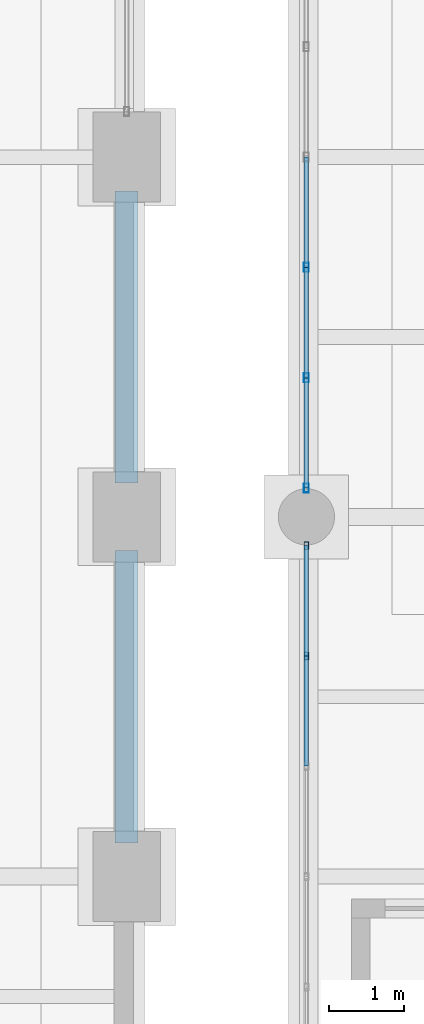
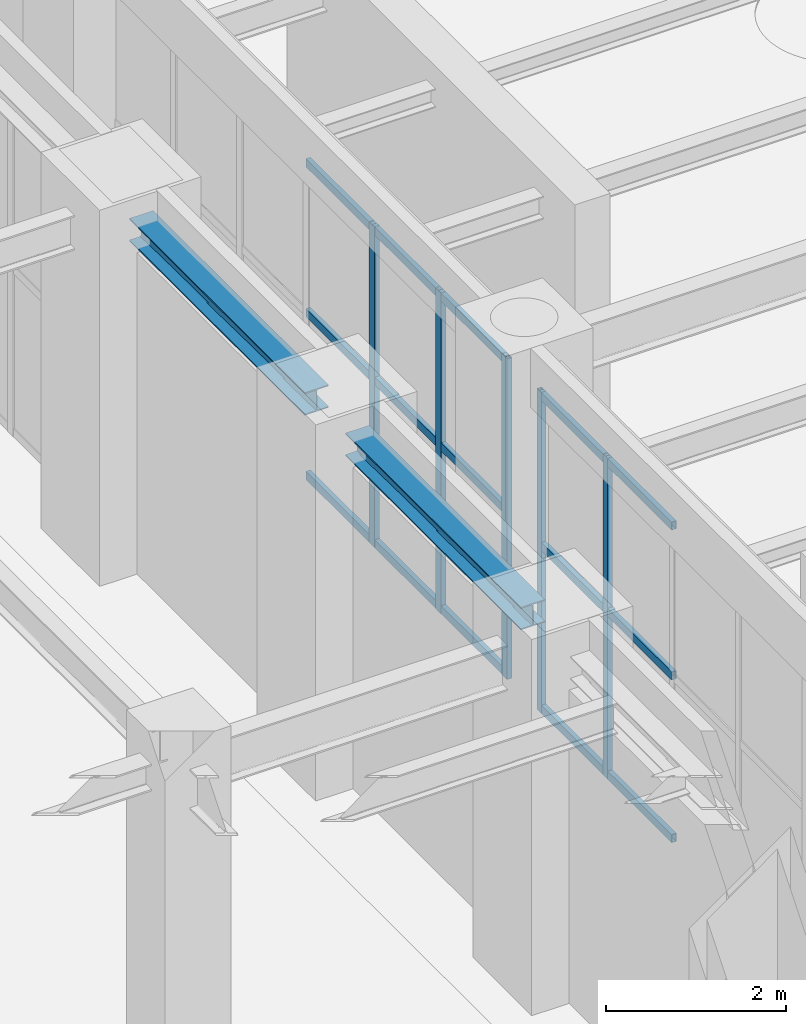
# One storey, part 36 of 174: 20 members, 2 beams, 2 elements without a shape of their own.
"""IFC4 building model written with IfcOpenShell, lengths in metres."""

from ifc_helpers import new_model, si_unit, direction, frame, origin, origin_2d, place, context, subcontext, project, spatial, hollow_rectangle, i_section, extrude, material, material_profile, profile_set, type_object, element, aggregate, save


model = new_model("IFC4")

# Units and contexts
model_context = context("Model", 3, precision=1e-05, world=origin(), true_north=direction((0.0, 1.0)))
body_context = subcontext(model_context, "Body", "Model", "MODEL_VIEW")
ifc_project = project(units=[si_unit("LENGTHUNIT", "METRE"), si_unit("AREAUNIT", "SQUARE_METRE"), si_unit("VOLUMEUNIT", "CUBIC_METRE"), si_unit("PLANEANGLEUNIT", "RADIAN"), si_unit("MASSUNIT", "GRAM", prefix="KILO")], contexts=[model_context])

# Site, building, storey
site_placement = place(None, origin())
site = spatial("IfcSite", under=ifc_project, at=site_placement, CompositionType="ELEMENT")
building_placement = place(site_placement, origin())
building = spatial("IfcBuilding", under=site, at=building_placement, Name="Mavantir Sound Aquarium", CompositionType="ELEMENT")
storey_placement = place(building_placement, frame((0.0, 0.0, 5.39990234375)))
storey = spatial("IfcBuildingStorey", under=building, at=storey_placement, Name="L01", CompositionType="ELEMENT", Elevation=5.39990234375)

# Beams
ifc_material_1 = material(Name="Structural Steel ASTM A992 Gr50", Category="steel")
ifc_material_profile_1 = material_profile(ifc_material_1, i_section(OverallWidth=0.304931640625, OverallDepth=0.30810546875, WebThickness=0.010009765625, FlangeThickness=0.015380859375, FilletRadius=0.014892578125, at=origin_2d()), Name="W310X97")
ifc_profile_set_1 = profile_set([ifc_material_profile_1], Name="Structural Steel ASTM A992 Gr50")
beam_type = type_object("IfcBeamType", Name="BM-W310X97-E", PredefinedType="SPANDREL", material=ifc_profile_set_1)
for number, where, z_axis, x_axis, name in (
    (1, (33.60009765625, 46.050048828125, 4.5419921875), (0.0, 1.0, 0.0), (-1.0, 0.0, 0.0), "L01 primary girder SS-31A 1175"),
    (2, (33.60009765625, 50.85009765625, 4.5419921875), (0.0, 1.0, 0.0), (-1.0, 0.0, 0.0), "L01 primary girder SS-31A 1176"),
):
    element("IfcBeam", number, at=place(storey_placement, frame(where, z_axis=z_axis, x_axis=x_axis)), inside=storey, type_object=beam_type, Name=name, PredefinedType="SPANDREL", context=body_context, shape_type="SweptSolid", body=[
        extrude(i_section(OverallWidth=0.304931640625, OverallDepth=0.30810546875, WebThickness=0.010009765625, FlangeThickness=0.015380859375, FilletRadius=0.014892578125, at=origin_2d()), origin(), (0.0, 0.0, 1.0), 3.89990234375),
    ])

# Curtain wall, members
ifc_material_2 = material(Name="Anodised Marine Aluminium and Low-E Glass", Category="aluminium")
curtain_wall_type_1 = type_object("IfcCurtainWallType", Name="CW-T15", PredefinedType="USERDEFINED", material=ifc_material_2)
curtain_wall_1_placement = place(storey_placement, origin())
curtain_wall_1 = element("IfcCurtainWall", 3, at=curtain_wall_1_placement, inside=storey, type_object=curtain_wall_type_1, Name="L01 unitised curtain wall CW-15 63", ObjectType="UNITISED GLAZING", PredefinedType="USERDEFINED")
ifc_material_3 = material(Name="Anodised Marine Aluminium 6063-T6", Category="aluminium")
ifc_material_profile_2 = material_profile(ifc_material_3, hollow_rectangle(XDim=0.06005859375, YDim=0.10009765625, WallThickness=0.00390625, at=origin_2d()), Name="ALU-MULLION-100X60")
ifc_profile_set_2 = profile_set([ifc_material_profile_2], Name="Anodised Marine Aluminium 6063-T6")
member_type_1 = type_object("IfcMemberType", Name="CW-MUL-100", PredefinedType="MULLION", material=ifc_profile_set_2)
member_1_placement = place(storey_placement, frame((36.0, 50.01708984375, 0.0), z_axis=(0.0, 0.0, 1.0), x_axis=(1.0, 0.0, 0.0)))
member_1 = element("IfcMember", 4, at=member_1_placement, type_object=member_type_1, Name="CW-L01-063 vertical mullion 1", PredefinedType="MULLION", context=body_context, shape_type="SweptSolid", body=[
    extrude(hollow_rectangle(XDim=0.06005859375, YDim=0.10009765625, WallThickness=0.00390625, at=origin_2d()), origin(), (0.0, 0.0, 1.0), 4.34912109375),
])
member_2_placement = place(storey_placement, frame((36.0, 48.544677734375, 0.0), z_axis=(0.0, 0.0, 1.0), x_axis=(1.0, 0.0, 0.0)))
member_2 = element("IfcMember", 5, at=member_2_placement, type_object=member_type_1, Name="CW-L01-063 vertical mullion 2", PredefinedType="MULLION", context=body_context, shape_type="SweptSolid", body=[
    extrude(hollow_rectangle(XDim=0.06005859375, YDim=0.10009765625, WallThickness=0.00390625, at=origin_2d()), origin(), (0.0, 0.0, 1.0), 4.34912109375),
])

curtain_wall_type_2 = type_object("IfcCurtainWallType", Name="CW-T14", PredefinedType="USERDEFINED", material=ifc_material_2)
curtain_wall_2_placement = place(storey_placement, origin())
curtain_wall_2 = element("IfcCurtainWall", 6, at=curtain_wall_2_placement, inside=storey, type_object=curtain_wall_type_2, Name="L01 unitised curtain wall CW-14 62", ObjectType="UNITISED GLAZING", PredefinedType="USERDEFINED")
ifc_material_profile_3 = material_profile(ifc_material_3, hollow_rectangle(XDim=0.06494140625, YDim=0.1201171875, WallThickness=0.00390625, at=origin_2d()), Name="ALU-MULLION-120X65")
ifc_profile_set_3 = profile_set([ifc_material_profile_3], Name="Anodised Marine Aluminium 6063-T6")
member_type_2 = type_object("IfcMemberType", Name="CW-MUL-120", PredefinedType="MULLION", material=ifc_profile_set_3)
member_3_placement = place(storey_placement, frame((36.0, 53.727783203125, 0.0), z_axis=(0.0, 0.0, 1.0), x_axis=(1.0, 0.0, 0.0)))
member_3 = element("IfcMember", 7, at=member_3_placement, type_object=member_type_2, Name="CW-L01-062 vertical mullion 5", PredefinedType="MULLION", context=body_context, shape_type="SweptSolid", body=[
    extrude(hollow_rectangle(XDim=0.06494140625, YDim=0.1201171875, WallThickness=0.00390625, at=origin_2d()), origin(), (0.0, 0.0, 1.0), 4.34912109375),
])
member_4_placement = place(storey_placement, frame((36.0, 52.25537109375, 0.0), z_axis=(0.0, 0.0, 1.0), x_axis=(1.0, 0.0, 0.0)))
member_4 = element("IfcMember", 8, at=member_4_placement, type_object=member_type_2, Name="CW-L01-062 vertical mullion 6", PredefinedType="MULLION", context=body_context, shape_type="SweptSolid", body=[
    extrude(hollow_rectangle(XDim=0.06494140625, YDim=0.1201171875, WallThickness=0.00390625, at=origin_2d()), origin(), (0.0, 0.0, 1.0), 4.34912109375),
])
member_5_placement = place(storey_placement, frame((36.0, 50.782958984375, 0.0), z_axis=(0.0, 0.0, 1.0), x_axis=(1.0, 0.0, 0.0)))
member_5 = element("IfcMember", 9, at=member_5_placement, type_object=member_type_2, Name="CW-L01-062 vertical mullion 7", PredefinedType="MULLION", context=body_context, shape_type="SweptSolid", body=[
    extrude(hollow_rectangle(XDim=0.06494140625, YDim=0.1201171875, WallThickness=0.00390625, at=origin_2d()), origin(), (0.0, 0.0, 1.0), 4.34912109375),
])
ifc_material_profile_4 = material_profile(ifc_material_3, hollow_rectangle(XDim=0.06005859375, YDim=0.110107421875, WallThickness=0.00390625, at=origin_2d()), Name="ALU-TRANSOM-110X60")
ifc_profile_set_4 = profile_set([ifc_material_profile_4], Name="Anodised Marine Aluminium 6063-T6")
member_type_3 = type_object("IfcMemberType", Name="CW-TRN-110", PredefinedType="USERDEFINED", material=ifc_profile_set_4)
member_6_placement = place(storey_placement, frame((36.0, 55.199951171875, 0.05517578125), z_axis=(0.0, -1.0, 0.0), x_axis=(1.0, 0.0, 0.0)))
member_6 = element("IfcMember", 10, at=member_6_placement, type_object=member_type_3, Name="CW-L01-062 transom 4.1", ObjectType="TRANSOM", PredefinedType="USERDEFINED", context=body_context, shape_type="SweptSolid", body=[
    extrude(hollow_rectangle(XDim=0.06005859375, YDim=0.110107421875, WallThickness=0.00390625, at=origin_2d()), origin(), (0.0, 0.0, 1.0), 1.47216796875),
])
member_7_placement = place(storey_placement, frame((36.0, 55.199951171875, 2.26171875), z_axis=(0.0, -1.0, 0.0), x_axis=(1.0, 0.0, 0.0)))
member_7 = element("IfcMember", 11, at=member_7_placement, type_object=member_type_3, Name="CW-L01-062 transom 4.2", ObjectType="TRANSOM", PredefinedType="USERDEFINED", context=body_context, shape_type="SweptSolid", body=[
    extrude(hollow_rectangle(XDim=0.06005859375, YDim=0.110107421875, WallThickness=0.00390625, at=origin_2d()), origin(), (0.0, 0.0, 1.0), 1.47216796875),
])
member_8_placement = place(storey_placement, frame((36.0, 55.199951171875, 4.294189453125), z_axis=(0.0, -1.0, 0.0), x_axis=(1.0, 0.0, 0.0)))
member_8 = element("IfcMember", 12, at=member_8_placement, type_object=member_type_3, Name="CW-L01-062 transom 4.3", ObjectType="TRANSOM", PredefinedType="USERDEFINED", context=body_context, shape_type="SweptSolid", body=[
    extrude(hollow_rectangle(XDim=0.06005859375, YDim=0.110107421875, WallThickness=0.00390625, at=origin_2d()), origin(), (0.0, 0.0, 1.0), 1.47216796875),
])
member_9_placement = place(storey_placement, frame((36.0, 53.727783203125, 0.05517578125), z_axis=(0.0, -1.0, 0.0), x_axis=(1.0, 0.0, 0.0)))
member_9 = element("IfcMember", 13, at=member_9_placement, type_object=member_type_3, Name="CW-L01-062 transom 5.1", ObjectType="TRANSOM", PredefinedType="USERDEFINED", context=body_context, shape_type="SweptSolid", body=[
    extrude(hollow_rectangle(XDim=0.06005859375, YDim=0.110107421875, WallThickness=0.00390625, at=origin_2d()), origin(), (0.0, 0.0, 1.0), 1.472412109375),
])
member_10_placement = place(storey_placement, frame((36.0, 53.727783203125, 2.26171875), z_axis=(0.0, -1.0, 0.0), x_axis=(1.0, 0.0, 0.0)))
member_10 = element("IfcMember", 14, at=member_10_placement, type_object=member_type_3, Name="CW-L01-062 transom 5.2", ObjectType="TRANSOM", PredefinedType="USERDEFINED", context=body_context, shape_type="SweptSolid", body=[
    extrude(hollow_rectangle(XDim=0.06005859375, YDim=0.110107421875, WallThickness=0.00390625, at=origin_2d()), origin(), (0.0, 0.0, 1.0), 1.472412109375),
])
member_11_placement = place(storey_placement, frame((36.0, 53.727783203125, 4.294189453125), z_axis=(0.0, -1.0, 0.0), x_axis=(1.0, 0.0, 0.0)))
member_11 = element("IfcMember", 15, at=member_11_placement, type_object=member_type_3, Name="CW-L01-062 transom 5.3", ObjectType="TRANSOM", PredefinedType="USERDEFINED", context=body_context, shape_type="SweptSolid", body=[
    extrude(hollow_rectangle(XDim=0.06005859375, YDim=0.110107421875, WallThickness=0.00390625, at=origin_2d()), origin(), (0.0, 0.0, 1.0), 1.472412109375),
])
member_12_placement = place(storey_placement, frame((36.0, 52.25537109375, 0.05517578125), z_axis=(0.0, -1.0, 0.0), x_axis=(1.0, 0.0, 0.0)))
member_12 = element("IfcMember", 16, at=member_12_placement, type_object=member_type_3, Name="CW-L01-062 transom 6.1", ObjectType="TRANSOM", PredefinedType="USERDEFINED", context=body_context, shape_type="SweptSolid", body=[
    extrude(hollow_rectangle(XDim=0.06005859375, YDim=0.110107421875, WallThickness=0.00390625, at=origin_2d()), origin(), (0.0, 0.0, 1.0), 1.472412109375),
])
member_13_placement = place(storey_placement, frame((36.0, 52.25537109375, 2.26171875), z_axis=(0.0, -1.0, 0.0), x_axis=(1.0, 0.0, 0.0)))
member_13 = element("IfcMember", 17, at=member_13_placement, type_object=member_type_3, Name="CW-L01-062 transom 6.2", ObjectType="TRANSOM", PredefinedType="USERDEFINED", context=body_context, shape_type="SweptSolid", body=[
    extrude(hollow_rectangle(XDim=0.06005859375, YDim=0.110107421875, WallThickness=0.00390625, at=origin_2d()), origin(), (0.0, 0.0, 1.0), 1.472412109375),
])
member_14_placement = place(storey_placement, frame((36.0, 52.25537109375, 4.294189453125), z_axis=(0.0, -1.0, 0.0), x_axis=(1.0, 0.0, 0.0)))
member_14 = element("IfcMember", 18, at=member_14_placement, type_object=member_type_3, Name="CW-L01-062 transom 6.3", ObjectType="TRANSOM", PredefinedType="USERDEFINED", context=body_context, shape_type="SweptSolid", body=[
    extrude(hollow_rectangle(XDim=0.06005859375, YDim=0.110107421875, WallThickness=0.00390625, at=origin_2d()), origin(), (0.0, 0.0, 1.0), 1.472412109375),
])
aggregate(curtain_wall_2, [member_3, member_4, member_5, member_6, member_7, member_8, member_9, member_10, member_11, member_12, member_13, member_14])

# Member
member_15_placement = place(storey_placement, frame((36.0, 50.01708984375, 0.05517578125), z_axis=(0.0, -1.0, 0.0), x_axis=(1.0, 0.0, 0.0)))
member_15 = element("IfcMember", 19, at=member_15_placement, type_object=member_type_3, Name="CW-L01-063 transom 1.1", ObjectType="TRANSOM", PredefinedType="USERDEFINED", context=body_context, shape_type="SweptSolid", body=[
    extrude(hollow_rectangle(XDim=0.06005859375, YDim=0.110107421875, WallThickness=0.00390625, at=origin_2d()), origin(), (0.0, 0.0, 1.0), 1.472412109375),
])

member_16_placement = place(storey_placement, frame((36.0, 50.01708984375, 2.26171875), z_axis=(0.0, -1.0, 0.0), x_axis=(1.0, 0.0, 0.0)))
member_16 = element("IfcMember", 20, at=member_16_placement, type_object=member_type_3, Name="CW-L01-063 transom 1.2", ObjectType="TRANSOM", PredefinedType="USERDEFINED", context=body_context, shape_type="SweptSolid", body=[
    extrude(hollow_rectangle(XDim=0.06005859375, YDim=0.110107421875, WallThickness=0.00390625, at=origin_2d()), origin(), (0.0, 0.0, 1.0), 1.472412109375),
])

member_17_placement = place(storey_placement, frame((36.0, 50.01708984375, 4.294189453125), z_axis=(0.0, -1.0, 0.0), x_axis=(1.0, 0.0, 0.0)))
member_17 = element("IfcMember", 21, at=member_17_placement, type_object=member_type_3, Name="CW-L01-063 transom 1.3", ObjectType="TRANSOM", PredefinedType="USERDEFINED", context=body_context, shape_type="SweptSolid", body=[
    extrude(hollow_rectangle(XDim=0.06005859375, YDim=0.110107421875, WallThickness=0.00390625, at=origin_2d()), origin(), (0.0, 0.0, 1.0), 1.472412109375),
])

member_18_placement = place(storey_placement, frame((36.0, 48.544677734375, 0.05517578125), z_axis=(0.0, -1.0, 0.0), x_axis=(1.0, 0.0, 0.0)))
member_18 = element("IfcMember", 22, at=member_18_placement, type_object=member_type_3, Name="CW-L01-063 transom 2.1", ObjectType="TRANSOM", PredefinedType="USERDEFINED", context=body_context, shape_type="SweptSolid", body=[
    extrude(hollow_rectangle(XDim=0.06005859375, YDim=0.110107421875, WallThickness=0.00390625, at=origin_2d()), origin(), (0.0, 0.0, 1.0), 1.472412109375),
])

member_19_placement = place(storey_placement, frame((36.0, 48.544677734375, 2.26171875), z_axis=(0.0, -1.0, 0.0), x_axis=(1.0, 0.0, 0.0)))
member_19 = element("IfcMember", 23, at=member_19_placement, type_object=member_type_3, Name="CW-L01-063 transom 2.2", ObjectType="TRANSOM", PredefinedType="USERDEFINED", context=body_context, shape_type="SweptSolid", body=[
    extrude(hollow_rectangle(XDim=0.06005859375, YDim=0.110107421875, WallThickness=0.00390625, at=origin_2d()), origin(), (0.0, 0.0, 1.0), 1.472412109375),
])

member_20_placement = place(storey_placement, frame((36.0, 48.544677734375, 4.294189453125), z_axis=(0.0, -1.0, 0.0), x_axis=(1.0, 0.0, 0.0)))
member_20 = element("IfcMember", 24, at=member_20_placement, type_object=member_type_3, Name="CW-L01-063 transom 2.3", ObjectType="TRANSOM", PredefinedType="USERDEFINED", context=body_context, shape_type="SweptSolid", body=[
    extrude(hollow_rectangle(XDim=0.06005859375, YDim=0.110107421875, WallThickness=0.00390625, at=origin_2d()), origin(), (0.0, 0.0, 1.0), 1.472412109375),
])

aggregate(curtain_wall_1, [member_1, member_2, member_15, member_16, member_17, member_18, member_19, member_20])

save(model, "model.ifc")
